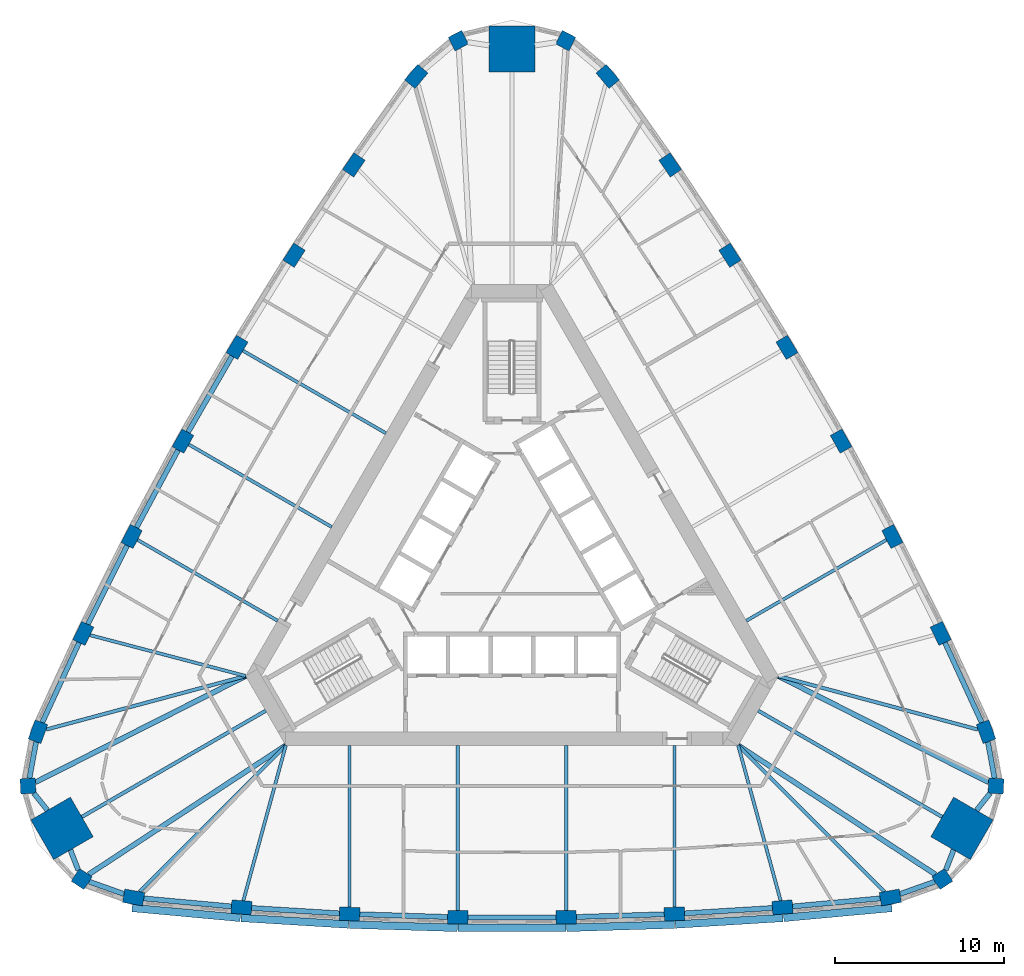
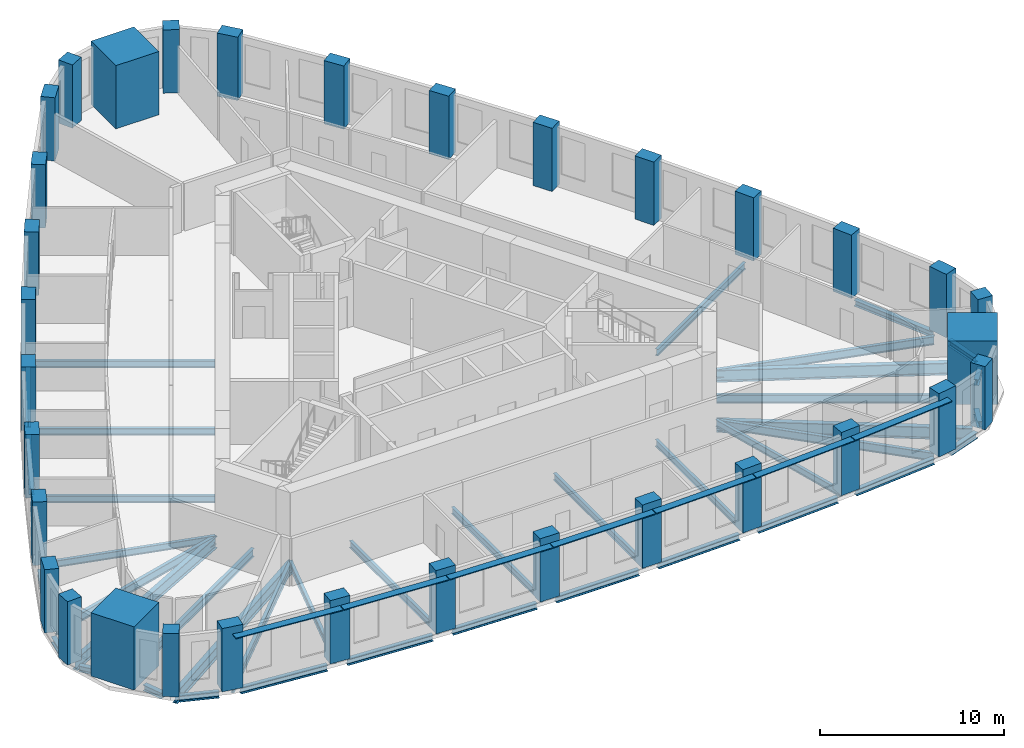
# One storey, part 1 of 11: 41 beams, 33 columns, 7 members.
"""IFC4 building model written with IfcOpenShell, lengths in metres."""

from ifc_helpers import new_model, si_unit, direction, frame, origin, origin_2d, place, context, subcontext, project, spatial, rectangle, i_section, extrude, material, material_profile, profile_set, type_object, element, save


model = new_model("IFC4")

# Units and contexts
model_context = context("Model", 3, precision=1e-05, world=origin(), true_north=direction((0.0, 1.0)))
body_context = subcontext(model_context, "Body", "Model", "MODEL_VIEW")
ifc_project = project(units=[si_unit("LENGTHUNIT", "METRE"), si_unit("AREAUNIT", "SQUARE_METRE"), si_unit("VOLUMEUNIT", "CUBIC_METRE"), si_unit("PLANEANGLEUNIT", "RADIAN"), si_unit("MASSUNIT", "GRAM", prefix="KILO")], contexts=[model_context])

# Site, building, storey
site_placement = place(None, origin())
site = spatial("IfcSite", under=ifc_project, at=site_placement, CompositionType="ELEMENT")
building_placement = place(site_placement, origin())
building = spatial("IfcBuilding", under=site, at=building_placement, Name="Mestral Congress Tower", CompositionType="ELEMENT")
storey_placement = place(building_placement, frame((0.0, 0.0, 175.199951171875)))
storey = spatial("IfcBuildingStorey", under=building, at=storey_placement, Name="L41", CompositionType="ELEMENT", Elevation=175.199951171875)

# Columns
ifc_material_1 = material(Name="Concrete C60/75", Category="concrete")
ifc_material_profile_1 = material_profile(ifc_material_1, rectangle(XDim=1.199951171875, YDim=0.800048828125, at=origin_2d()), Name="RC 1200x800")
ifc_profile_set_1 = profile_set([ifc_material_profile_1], Name="Concrete C60/75")
column_type_1 = type_object("IfcColumnType", Name="Column RC 1200x800 C60/75", PredefinedType="COLUMN", material=ifc_profile_set_1)
for number, where, z_axis, x_axis, name in (
    (1, (-22.357421875, -19.437255859375, 0.0), (0.0, 0.0, 1.0), (0.984571054206, -0.17498525429, 0.0), "COL-L41-C3-S00"),
    (2, (-15.984619140625, -20.0224609375, 0.0), (0.0, 0.0, 1.0), (0.997089725995, -0.076236987842, 0.0), "COL-L41-C3-S01"),
    (3, (-9.5966796875, -20.412841796875, 0.0), (0.0, 0.0, 1.0), (0.998951959915, -0.045770970953, 0.0), "COL-L41-C3-S02"),
    (4, (-3.199951171875, -20.608154296875, 0.0), (0.0, 0.0, 1.0), (0.999883524137, -0.015262311717, 0.0), "COL-L41-C3-S03"),
    (5, (3.199951171875, -20.608154296875, 0.0), (0.0, 0.0, 1.0), (0.999883524137, 0.015262311717, 0.0), "COL-L41-C3-S04"),
    (6, (9.5966796875, -20.412841796875, 0.0), (0.0, 0.0, 1.0), (0.998951959915, 0.045770970953, 0.0), "COL-L41-C3-S05"),
    (7, (15.984619140625, -20.0224609375, 0.0), (0.0, 0.0, 1.0), (0.997089725995, 0.076236987842, 0.0), "COL-L41-C3-S06"),
    (8, (22.357421875, -19.437255859375, 0.0), (0.0, 0.0, 1.0), (0.984571054206, 0.17498525429, 0.0), "COL-L41-C3-S07"),
    (9, (28.01171875, -9.6435546875, 0.0), (0.0, 0.0, 1.0), (-0.340743851601, 0.940156171918, 0.0), "COL-L41-C3-E00"),
    (10, (25.332275390625, -3.831787109375, 0.0), (0.0, 0.0, 1.0), (-0.432521694818, 0.901623526485, 0.0), "COL-L41-C3-E01"),
    (11, (22.476318359375, 1.8955078125, 0.0), (0.0, 0.0, 1.0), (-0.459837156356, 0.888003259923, 0.0), "COL-L41-C3-E02"),
    (12, (19.447265625, 7.532958984375, 0.0), (0.0, 0.0, 1.0), (-0.486724212401, 0.873555688587, 0.0), "COL-L41-C3-E03"),
    (13, (16.247314453125, 13.0751953125, 0.0), (0.0, 0.0, 1.0), (-0.513159311736, 0.85829337687, 0.0), "COL-L41-C3-E04"),
    (14, (12.8798828125, 18.517333984375, 0.0), (0.0, 0.0, 1.0), (-0.539114803559, 0.84223228897, 0.0), "COL-L41-C3-E05"),
    (15, (9.34765625, 23.854248046875, 0.0), (0.0, 0.0, 1.0), (-0.564568031177, 0.825386538643, 0.0), "COL-L41-C3-E06"),
    (16, (5.654296875, 29.080810546875, 0.0), (0.0, 0.0, 1.0), (-0.643827202606, 0.765170917629, 0.0), "COL-L41-C3-E07"),
    (17, (-5.654296875, 29.080810546875, 0.0), (0.0, 0.0, 1.0), (-0.643827202606, -0.765170917629, 0.0), "COL-L41-C3-W00"),
    (18, (-9.34765625, 23.854248046875, 0.0), (0.0, 0.0, 1.0), (-0.564568031177, -0.825386538643, 0.0), "COL-L41-C3-W01"),
    (19, (-12.8798828125, 18.517333984375, 0.0), (0.0, 0.0, 1.0), (-0.539114803559, -0.84223228897, 0.0), "COL-L41-C3-W02"),
    (20, (-16.247314453125, 13.0751953125, 0.0), (0.0, 0.0, 1.0), (-0.513159311736, -0.85829337687, 0.0), "COL-L41-C3-W03"),
    (21, (-19.447265625, 7.532958984375, 0.0), (0.0, 0.0, 1.0), (-0.486724212401, -0.873555688587, 0.0), "COL-L41-C3-W04"),
    (22, (-22.476318359375, 1.8955078125, 0.0), (0.0, 0.0, 1.0), (-0.459837156356, -0.888003259923, 0.0), "COL-L41-C3-W05"),
    (23, (-25.332275390625, -3.831787109375, 0.0), (0.0, 0.0, 1.0), (-0.432521694818, -0.901623526485, 0.0), "COL-L41-C3-W06"),
    (24, (-28.01171875, -9.6435546875, 0.0), (0.0, 0.0, 1.0), (-0.340743851601, -0.940156171918, 0.0), "COL-L41-C3-W07"),
):
    element("IfcColumn", number, at=place(storey_placement, frame(where, z_axis=z_axis, x_axis=x_axis)), inside=storey, type_object=column_type_1, Name=name, PredefinedType="COLUMN", context=body_context, shape_type="SweptSolid", body=[
        extrude(rectangle(XDim=1.199951171875, YDim=0.800048828125, at=origin_2d()), origin(), (0.0, 0.0, 1.0), 4.199951171875),
    ])
ifc_material_profile_2 = material_profile(ifc_material_1, rectangle(XDim=0.89990234375, YDim=0.89990234375, at=origin_2d()), Name="RC 900x900")
ifc_profile_set_2 = profile_set([ifc_material_profile_2], Name="Concrete C60/75")
column_type_2 = type_object("IfcColumnType", Name="Column RC 900x900 C60/75", PredefinedType="COLUMN", material=ifc_profile_set_2)
for number, where, z_axis, x_axis, name in (
    (25, (25.4296875, -18.34375, 0.0), (0.0, 0.0, 1.0), (0.838094050847, 0.545525766518, 0.0), "COL-L41-C3-SE1"),
    (26, (28.60107421875, -12.850830078125, 0.0), (0.0, 0.0, 1.0), (0.0533921468, 0.998573622053, 0.0), "COL-L41-C3-SE3"),
    (27, (3.17138671875, 31.194580078125, 0.0), (0.0, 0.0, 1.0), (-0.891486197647, 0.453047855535, 0.0), "COL-L41-C3-N1"),
    (28, (-3.17138671875, 31.194580078125, 0.0), (0.0, 0.0, 1.0), (-0.891486197647, -0.453047855535, 0.0), "COL-L41-C3-N3"),
    (29, (-28.60107421875, -12.850830078125, 0.0), (0.0, 0.0, 1.0), (0.0533921468, -0.998573622053, 0.0), "COL-L41-C3-SW1"),
    (30, (-25.4296875, -18.34375, 0.0), (0.0, 0.0, 1.0), (0.838094050847, -0.545525766518, 0.0), "COL-L41-C3-SW3"),
):
    element("IfcColumn", number, at=place(storey_placement, frame(where, z_axis=z_axis, x_axis=x_axis)), inside=storey, type_object=column_type_2, Name=name, PredefinedType="COLUMN", context=body_context, shape_type="SweptSolid", body=[
        extrude(rectangle(XDim=0.89990234375, YDim=0.89990234375, at=origin_2d()), origin(), (0.0, 0.0, 1.0), 4.199951171875),
    ])
ifc_material_2 = material(Name="Concrete C70/85", Category="concrete")
ifc_material_profile_3 = material_profile(ifc_material_2, rectangle(XDim=2.699951171875, YDim=2.699951171875, at=origin_2d()), Name="RC 2700x2700")
ifc_profile_set_3 = profile_set([ifc_material_profile_3], Name="Concrete C70/85")
column_type_3 = type_object("IfcColumnType", Name="Mega column RC 2700x2700 C70/85", PredefinedType="COLUMN", material=ifc_profile_set_3)
for number, where, z_axis, x_axis, name in (
    (31, (26.590576171875, -15.35205078125, 0.0), (0.0, 0.0, 1.0), (0.866025403784, -0.5, 0.0), "COL-L41-PY3-SE"),
    (32, (0.0, 30.7041015625, 0.0), (0.0, 0.0, 1.0), (0.0, 1.0, 0.0), "COL-L41-PY3-N"),
    (33, (-26.590576171875, -15.35205078125, 0.0), (0.0, 0.0, 1.0), (-0.866025403784, -0.5, 0.0), "COL-L41-PY3-SW"),
):
    element("IfcColumn", number, at=place(storey_placement, frame(where, z_axis=z_axis, x_axis=x_axis)), inside=storey, type_object=column_type_3, Name=name, PredefinedType="COLUMN", context=body_context, shape_type="SweptSolid", body=[
        extrude(rectangle(XDim=2.699951171875, YDim=2.699951171875, at=origin_2d()), origin(), (0.0, 0.0, 1.0), 4.199951171875),
    ])

# Members
ifc_material_3 = material(Name="Glazed ceramic", Category="masonry")
ifc_material_profile_4 = material_profile(ifc_material_3, rectangle(XDim=0.449951171875, YDim=0.06005859375, at=origin_2d()), Name="Ceramic blade 450 x 60")
ifc_profile_set_4 = profile_set([ifc_material_profile_4], Name="Glazed ceramic")
member_type = type_object("IfcMemberType", Name="Facade sunshade blade 450 x 60", PredefinedType="USERDEFINED", material=ifc_profile_set_4)
member_1_placement = place(storey_placement, frame((-22.451171875, -20.05615234375, 3.679931640625), z_axis=(0.995809919347, -0.091447277326, 0.0), x_axis=(0.091447277326, 0.995809919347, 0.0)))
element("IfcMember", 34, at=member_1_placement, inside=storey, type_object=member_type, Name="Sunshade F0-00", ObjectType="SUNSHADE", PredefinedType="USERDEFINED", context=body_context, shape_type="SweptSolid", body=[
    extrude(rectangle(XDim=0.449951171875, YDim=0.06005859375, at=origin_2d()), origin(), (0.0, 0.0, 1.0), 6.42333984375),
])
member_2_placement = place(storey_placement, frame((-16.009521484375, -20.647216796875, 3.679931640625), z_axis=(0.998138940399, -0.06098078107, 0.0), x_axis=(0.06098078107, 0.998138940399, 0.0)))
element("IfcMember", 35, at=member_2_placement, inside=storey, type_object=member_type, Name="Sunshade F0-01", ObjectType="SUNSHADE", PredefinedType="USERDEFINED", context=body_context, shape_type="SweptSolid", body=[
    extrude(rectangle(XDim=0.449951171875, YDim=0.06005859375, at=origin_2d()), origin(), (0.0, 0.0, 1.0), 6.373779296875),
])
for number, where, z_axis, x_axis, name in (
    (36, (-9.6025390625, -21.0380859375, 3.679931640625), (0.999535044007, -0.03049091343, 0.0), (0.03049091343, 0.999535044007, 0.0), "Sunshade F0-02"),
    (37, (-3.186767578125, -21.233154296875, 3.679931640625), (1.0, 0.0, 0.0), (0.0, 1.0, 0.0), "Sunshade F0-03"),
    (38, (3.23193359375, -21.232421875, 3.679931640625), (0.999535044007, 0.03049091343, 0.0), (-0.03049091343, 0.999535044007, 0.0), "Sunshade F0-04"),
):
    element("IfcMember", number, at=place(storey_placement, frame(where, z_axis=z_axis, x_axis=x_axis)), inside=storey, type_object=member_type, Name=name, ObjectType="SUNSHADE", PredefinedType="USERDEFINED", context=body_context, shape_type="SweptSolid", body=[
        extrude(rectangle(XDim=0.449951171875, YDim=0.06005859375, at=origin_2d()), origin(), (0.0, 0.0, 1.0), 6.37353515625),
    ])
member_3_placement = place(storey_placement, frame((9.647705078125, -21.035888671875, 3.679931640625), z_axis=(0.998138940399, 0.06098078107, 0.0), x_axis=(-0.06098078107, 0.998138940399, 0.0)))
element("IfcMember", 39, at=member_3_placement, inside=storey, type_object=member_type, Name="Sunshade F0-05", ObjectType="SUNSHADE", PredefinedType="USERDEFINED", context=body_context, shape_type="SweptSolid", body=[
    extrude(rectangle(XDim=0.449951171875, YDim=0.06005859375, at=origin_2d()), origin(), (0.0, 0.0, 1.0), 6.373779296875),
])
member_4_placement = place(storey_placement, frame((16.0546875, -20.6435546875, 3.679931640625), z_axis=(0.995809919347, 0.091447277326, 0.0), x_axis=(-0.091447277326, 0.995809919347, 0.0)))
element("IfcMember", 40, at=member_4_placement, inside=storey, type_object=member_type, Name="Sunshade F0-06", ObjectType="SUNSHADE", PredefinedType="USERDEFINED", context=body_context, shape_type="SweptSolid", body=[
    extrude(rectangle(XDim=0.449951171875, YDim=0.06005859375, at=origin_2d()), origin(), (0.0, 0.0, 1.0), 6.42333984375),
])

# Beams
ifc_material_4 = material(Name="Steel S355", Category="steel")
ifc_material_profile_5 = material_profile(ifc_material_4, i_section(OverallWidth=0.300048828125, OverallDepth=0.800048828125, WebThickness=0.017578125, FlangeThickness=0.032958984375, FilletRadius=0.030029296875, at=origin_2d()), Name="HEB 800")
ifc_profile_set_5 = profile_set([ifc_material_profile_5], Name="Steel S355")
beam_type_1 = type_object("IfcBeamType", Name="Floor beam HEB 800 S355", PredefinedType="BEAM", material=ifc_profile_set_5)
beam_1_placement = place(storey_placement, frame((25.018310546875, -18.07470703125, -0.64990234375), z_axis=(-0.836780237492, 0.547538888247, 0.0), x_axis=(-0.547538888247, -0.836780237492, 0.0)))
element("IfcBeam", 41, at=beam_1_placement, inside=storey, type_object=beam_type_1, Name="BM-L41-RB3-SE1", PredefinedType="BEAM", context=body_context, shape_type="SweptSolid", body=[
    extrude(i_section(OverallWidth=0.300048828125, OverallDepth=0.800048828125, WebThickness=0.017578125, FlangeThickness=0.032958984375, FilletRadius=0.030029296875, at=origin_2d()), origin(), (0.0, 0.0, 1.0), 13.925537109375),
])
for number, where, z_axis, x_axis, name in (
    (42, (28.162109375, -12.629150390625, -0.64990234375), (-0.892568118133, 0.450912579656, 0.0), (-0.450912579656, -0.892568118133, 0.0), "BM-L41-RB3-SE3"),
    (43, (-28.162109375, -12.629150390625, -0.64990234375), (0.892568118133, 0.450912579656, 0.0), (-0.450912579656, 0.892568118133, 0.0), "BM-L41-RB3-SW1"),
):
    element("IfcBeam", number, at=place(storey_placement, frame(where, z_axis=z_axis, x_axis=x_axis)), inside=storey, type_object=beam_type_1, Name=name, PredefinedType="BEAM", context=body_context, shape_type="SweptSolid", body=[
        extrude(i_section(OverallWidth=0.300048828125, OverallDepth=0.800048828125, WebThickness=0.017578125, FlangeThickness=0.032958984375, FilletRadius=0.030029296875, at=origin_2d()), origin(), (0.0, 0.0, 1.0), 13.92529296875),
    ])
beam_2_placement = place(storey_placement, frame((-25.018310546875, -18.07470703125, -0.64990234375), z_axis=(0.836780237492, 0.547538888247, 0.0), x_axis=(-0.547538888247, 0.836780237492, 0.0)))
element("IfcBeam", 44, at=beam_2_placement, inside=storey, type_object=beam_type_1, Name="BM-L41-RB3-SW3", PredefinedType="BEAM", context=body_context, shape_type="SweptSolid", body=[
    extrude(i_section(OverallWidth=0.300048828125, OverallDepth=0.800048828125, WebThickness=0.017578125, FlangeThickness=0.032958984375, FilletRadius=0.030029296875, at=origin_2d()), origin(), (0.0, 0.0, 1.0), 13.925537109375),
])
ifc_material_profile_6 = material_profile(ifc_material_4, i_section(OverallWidth=0.18994140625, OverallDepth=0.449951171875, WebThickness=0.009521484375, FlangeThickness=0.0146484375, FilletRadius=0.02099609375, at=origin_2d()), Name="IPE 450")
ifc_profile_set_6 = profile_set([ifc_material_profile_6], Name="Steel S355")
beam_type_2 = type_object("IfcBeamType", Name="Floor beam IPE 450 S355", PredefinedType="BEAM", material=ifc_profile_set_6)
beam_3_placement = place(storey_placement, frame((-15.876953125, -19.62939453125, -0.474853515625), z_axis=(0.263874900873, 0.964556912105, 0.0), x_axis=(-0.964556912105, 0.263874900873, 0.0)))
element("IfcBeam", 45, at=beam_3_placement, inside=storey, type_object=beam_type_2, Name="BM-L41-RB3-S01", PredefinedType="BEAM", context=body_context, shape_type="SweptSolid", body=[
    extrude(i_section(OverallWidth=0.18994140625, OverallDepth=0.449951171875, WebThickness=0.009521484375, FlangeThickness=0.0146484375, FilletRadius=0.02099609375, at=origin_2d()), origin(), (0.0, 0.0, 1.0), 9.516845703125),
])
beam_4_placement = place(storey_placement, frame((-9.5966796875, -20.012451171875, -0.474853515625), z_axis=(0.0, 1.0, 0.0), x_axis=(-1.0, 0.0, 0.0)))
element("IfcBeam", 46, at=beam_4_placement, inside=storey, type_object=beam_type_2, Name="BM-L41-RB3-S02", PredefinedType="BEAM", context=body_context, shape_type="SweptSolid", body=[
    extrude(i_section(OverallWidth=0.18994140625, OverallDepth=0.449951171875, WebThickness=0.009521484375, FlangeThickness=0.0146484375, FilletRadius=0.02099609375, at=origin_2d()), origin(), (0.0, 0.0, 1.0), 9.5625),
])
for number, where, z_axis, x_axis, name in (
    (47, (-3.199951171875, -20.208251953125, -0.474853515625), (0.0, 1.0, 0.0), (-1.0, 0.0, 0.0), "BM-L41-RB3-S03"),
    (48, (3.199951171875, -20.208251953125, -0.474853515625), (0.0, 1.0, 0.0), (-1.0, 0.0, 0.0), "BM-L41-RB3-S04"),
):
    element("IfcBeam", number, at=place(storey_placement, frame(where, z_axis=z_axis, x_axis=x_axis)), inside=storey, type_object=beam_type_2, Name=name, PredefinedType="BEAM", context=body_context, shape_type="SweptSolid", body=[
        extrude(i_section(OverallWidth=0.18994140625, OverallDepth=0.449951171875, WebThickness=0.009521484375, FlangeThickness=0.0146484375, FilletRadius=0.02099609375, at=origin_2d()), origin(), (0.0, 0.0, 1.0), 9.75830078125),
    ])
beam_5_placement = place(storey_placement, frame((9.5966796875, -20.012451171875, -0.474853515625), z_axis=(0.0, 1.0, 0.0), x_axis=(-1.0, 0.0, 0.0)))
element("IfcBeam", 49, at=beam_5_placement, inside=storey, type_object=beam_type_2, Name="BM-L41-RB3-S05", PredefinedType="BEAM", context=body_context, shape_type="SweptSolid", body=[
    extrude(i_section(OverallWidth=0.18994140625, OverallDepth=0.449951171875, WebThickness=0.009521484375, FlangeThickness=0.0146484375, FilletRadius=0.02099609375, at=origin_2d()), origin(), (0.0, 0.0, 1.0), 9.5625),
])
beam_6_placement = place(storey_placement, frame((15.876953125, -19.62939453125, -0.474853515625), z_axis=(-0.263874900873, 0.964556912105, 0.0), x_axis=(-0.964556912105, -0.263874900873, 0.0)))
element("IfcBeam", 50, at=beam_6_placement, inside=storey, type_object=beam_type_2, Name="BM-L41-RB3-S06", PredefinedType="BEAM", context=body_context, shape_type="SweptSolid", body=[
    extrude(i_section(OverallWidth=0.18994140625, OverallDepth=0.449951171875, WebThickness=0.009521484375, FlangeThickness=0.0146484375, FilletRadius=0.02099609375, at=origin_2d()), origin(), (0.0, 0.0, 1.0), 9.516845703125),
])
beam_7_placement = place(storey_placement, frame((22.129638671875, 1.6953125, -0.474853515625), z_axis=(-0.866022320763, -0.500005339912, 0.0), x_axis=(0.500005339912, -0.866022320763, 0.0)))
element("IfcBeam", 51, at=beam_7_placement, inside=storey, type_object=beam_type_2, Name="BM-L41-RB3-E02", PredefinedType="BEAM", context=body_context, shape_type="SweptSolid", body=[
    extrude(i_section(OverallWidth=0.18994140625, OverallDepth=0.449951171875, WebThickness=0.009521484375, FlangeThickness=0.0146484375, FilletRadius=0.02099609375, at=origin_2d()), origin(), (0.0, 0.0, 1.0), 9.5625),
])
beam_8_placement = place(storey_placement, frame((-15.90087890625, 12.875244140625, -0.474853515625), z_axis=(0.866025182435, -0.500000383388, 0.0), x_axis=(0.500000383388, 0.866025182435, 0.0)))
element("IfcBeam", 52, at=beam_8_placement, inside=storey, type_object=beam_type_2, Name="BM-L41-RB3-W03", PredefinedType="BEAM", context=body_context, shape_type="SweptSolid", body=[
    extrude(i_section(OverallWidth=0.18994140625, OverallDepth=0.449951171875, WebThickness=0.009521484375, FlangeThickness=0.0146484375, FilletRadius=0.02099609375, at=origin_2d()), origin(), (0.0, 0.0, 1.0), 9.75830078125),
])
beam_9_placement = place(storey_placement, frame((-19.100830078125, 7.332763671875, -0.474853515625), z_axis=(0.866036015824, -0.499981618958, 0.0), x_axis=(0.499981618958, 0.866036015824, 0.0)))
element("IfcBeam", 53, at=beam_9_placement, inside=storey, type_object=beam_type_2, Name="BM-L41-RB3-W04", PredefinedType="BEAM", context=body_context, shape_type="SweptSolid", body=[
    extrude(i_section(OverallWidth=0.18994140625, OverallDepth=0.449951171875, WebThickness=0.009521484375, FlangeThickness=0.0146484375, FilletRadius=0.02099609375, at=origin_2d()), origin(), (0.0, 0.0, 1.0), 9.758056640625),
])
beam_10_placement = place(storey_placement, frame((-22.129638671875, 1.6953125, -0.474853515625), z_axis=(0.866022320763, -0.500005339912, 0.0), x_axis=(0.500005339912, 0.866022320763, 0.0)))
element("IfcBeam", 54, at=beam_10_placement, inside=storey, type_object=beam_type_2, Name="BM-L41-RB3-W05", PredefinedType="BEAM", context=body_context, shape_type="SweptSolid", body=[
    extrude(i_section(OverallWidth=0.18994140625, OverallDepth=0.449951171875, WebThickness=0.009521484375, FlangeThickness=0.0146484375, FilletRadius=0.02099609375, at=origin_2d()), origin(), (0.0, 0.0, 1.0), 9.5625),
])
beam_11_placement = place(storey_placement, frame((-24.938232421875, -3.93505859375, -0.474853515625), z_axis=(0.967265999603, -0.253764627187, 0.0), x_axis=(0.253764627187, 0.967265999603, 0.0)))
element("IfcBeam", 55, at=beam_11_placement, inside=storey, type_object=beam_type_2, Name="BM-L41-RB3-W06", PredefinedType="BEAM", context=body_context, shape_type="SweptSolid", body=[
    extrude(i_section(OverallWidth=0.18994140625, OverallDepth=0.449951171875, WebThickness=0.009521484375, FlangeThickness=0.0146484375, FilletRadius=0.02099609375, at=origin_2d()), origin(), (0.0, 0.0, 1.0), 9.516845703125),
])
ifc_material_profile_7 = material_profile(ifc_material_4, i_section(OverallWidth=0.2099609375, OverallDepth=0.550048828125, WebThickness=0.010986328125, FlangeThickness=0.01708984375, FilletRadius=0.02392578125, at=origin_2d()), Name="IPE 550")
ifc_profile_set_7 = profile_set([ifc_material_profile_7], Name="Steel S355")
beam_type_3 = type_object("IfcBeamType", Name="Floor beam IPE 550 S355", PredefinedType="BEAM", material=ifc_profile_set_7)
for number, where, z_axis, x_axis, name in (
    (56, (-22.01220703125, -19.09228515625, -0.52490234375), (0.707276510369, 0.706937011254, 0.0), (-0.706937011254, 0.707276510369, 0.0), "BM-L41-RB3-S00"),
    (57, (22.01220703125, -19.09228515625, -0.52490234375), (-0.707276510369, 0.706937011254, 0.0), (-0.706937011254, -0.707276510369, 0.0), "BM-L41-RB3-S07"),
):
    element("IfcBeam", number, at=place(storey_placement, frame(where, z_axis=z_axis, x_axis=x_axis)), inside=storey, type_object=beam_type_3, Name=name, PredefinedType="BEAM", context=body_context, shape_type="SweptSolid", body=[
        extrude(i_section(OverallWidth=0.2099609375, OverallDepth=0.550048828125, WebThickness=0.010986328125, FlangeThickness=0.01708984375, FilletRadius=0.02392578125, at=origin_2d()), origin(), (0.0, 0.0, 1.0), 12.22509765625),
    ])
beam_12_placement = place(storey_placement, frame((25.42138671875, -14.677001953125, -0.52490234375), z_axis=(-0.866034999462, 0.49998337943, 0.0), x_axis=(-0.49998337943, -0.866034999462, 0.0)))
element("IfcBeam", 58, at=beam_12_placement, inside=storey, type_object=beam_type_3, Name="BM-L41-RB3-SE", PredefinedType="BEAM", context=body_context, shape_type="SweptSolid", body=[
    extrude(i_section(OverallWidth=0.2099609375, OverallDepth=0.550048828125, WebThickness=0.010986328125, FlangeThickness=0.01708984375, FilletRadius=0.02392578125, at=origin_2d()), origin(), (0.0, 0.0, 1.0), 12.55419921875),
])
for number, where, z_axis, x_axis, name in (
    (59, (27.54052734375, -9.51708984375, -0.52490234375), (-0.965861364708, 0.259059499276, 0.0), (-0.259059499276, -0.965861364708, 0.0), "BM-L41-RB3-E00"),
    (60, (-27.54052734375, -9.51708984375, -0.52490234375), (0.965861364708, 0.259059499276, 0.0), (-0.259059499276, 0.965861364708, 0.0), "BM-L41-RB3-W07"),
):
    element("IfcBeam", number, at=place(storey_placement, frame(where, z_axis=z_axis, x_axis=x_axis)), inside=storey, type_object=beam_type_3, Name=name, PredefinedType="BEAM", context=body_context, shape_type="SweptSolid", body=[
        extrude(i_section(OverallWidth=0.2099609375, OverallDepth=0.550048828125, WebThickness=0.010986328125, FlangeThickness=0.01708984375, FilletRadius=0.02392578125, at=origin_2d()), origin(), (0.0, 0.0, 1.0), 12.224853515625),
    ])
beam_13_placement = place(storey_placement, frame((-25.42138671875, -14.677001953125, -0.52490234375), z_axis=(0.866034999462, 0.49998337943, 0.0), x_axis=(-0.49998337943, 0.866034999462, 0.0)))
element("IfcBeam", 61, at=beam_13_placement, inside=storey, type_object=beam_type_3, Name="BM-L41-RB3-SW", PredefinedType="BEAM", context=body_context, shape_type="SweptSolid", body=[
    extrude(i_section(OverallWidth=0.2099609375, OverallDepth=0.550048828125, WebThickness=0.010986328125, FlangeThickness=0.01708984375, FilletRadius=0.02392578125, at=origin_2d()), origin(), (0.0, 0.0, 1.0), 12.55419921875),
])
ifc_material_profile_8 = material_profile(ifc_material_4, i_section(OverallWidth=0.300048828125, OverallDepth=0.389892578125, WebThickness=0.010986328125, FlangeThickness=0.01904296875, FilletRadius=0.027099609375, at=origin_2d()), Name="HEA 400")
ifc_profile_set_8 = profile_set([ifc_material_profile_8], Name="Steel S355")
beam_type_4 = type_object("IfcBeamType", Name="Spandrel beam HEA 400 S355", PredefinedType="BEAM", material=ifc_profile_set_8)
beam_14_placement = place(storey_placement, frame((-21.7578125, -19.4921875, -0.445068359375), z_axis=(0.995809233617, -0.091454744238, 0.0), x_axis=(0.091454744238, 0.995809233617, 0.0)))
element("IfcBeam", 62, at=beam_14_placement, inside=storey, type_object=beam_type_4, Name="SP-L41-SB3-S00", PredefinedType="BEAM", context=body_context, shape_type="SweptSolid", body=[
    extrude(i_section(OverallWidth=0.300048828125, OverallDepth=0.389892578125, WebThickness=0.010986328125, FlangeThickness=0.01904296875, FilletRadius=0.027099609375, at=origin_2d()), origin(), (0.0, 0.0, 1.0), 5.197509765625),
])
beam_15_placement = place(storey_placement, frame((-15.385498046875, -20.05908203125, -0.445068359375), z_axis=(0.998138215809, -0.060992640057, 0.0), x_axis=(0.060992640057, 0.998138215809, 0.0)))
element("IfcBeam", 63, at=beam_15_placement, inside=storey, type_object=beam_type_4, Name="SP-L41-SB3-S01", PredefinedType="BEAM", context=body_context, shape_type="SweptSolid", body=[
    extrude(i_section(OverallWidth=0.300048828125, OverallDepth=0.389892578125, WebThickness=0.010986328125, FlangeThickness=0.01904296875, FilletRadius=0.027099609375, at=origin_2d()), origin(), (0.0, 0.0, 1.0), 5.19970703125),
])
beam_16_placement = place(storey_placement, frame((-8.996826171875, -20.43115234375, -0.445068359375), z_axis=(0.999534130554, -0.030520842996, 0.0), x_axis=(0.030520842996, 0.999534130554, 0.0)))
element("IfcBeam", 64, at=beam_16_placement, inside=storey, type_object=beam_type_4, Name="SP-L41-SB3-S02", PredefinedType="BEAM", context=body_context, shape_type="SweptSolid", body=[
    extrude(i_section(OverallWidth=0.300048828125, OverallDepth=0.389892578125, WebThickness=0.010986328125, FlangeThickness=0.01904296875, FilletRadius=0.027099609375, at=origin_2d()), origin(), (0.0, 0.0, 1.0), 5.199462890625),
])
beam_17_placement = place(storey_placement, frame((-2.599853515625, -20.608154296875, -0.445068359375), z_axis=(1.0, 0.0, 0.0), x_axis=(0.0, 1.0, 0.0)))
element("IfcBeam", 65, at=beam_17_placement, inside=storey, type_object=beam_type_4, Name="SP-L41-SB3-S03", PredefinedType="BEAM", context=body_context, shape_type="SweptSolid", body=[
    extrude(i_section(OverallWidth=0.300048828125, OverallDepth=0.389892578125, WebThickness=0.010986328125, FlangeThickness=0.01904296875, FilletRadius=0.027099609375, at=origin_2d()), origin(), (0.0, 0.0, 1.0), 5.19970703125),
])
beam_18_placement = place(storey_placement, frame((3.7998046875, -20.58984375, -0.445068359375), z_axis=(0.999534130554, 0.030520842996, 0.0), x_axis=(-0.030520842996, 0.999534130554, 0.0)))
element("IfcBeam", 66, at=beam_18_placement, inside=storey, type_object=beam_type_4, Name="SP-L41-SB3-S04", PredefinedType="BEAM", context=body_context, shape_type="SweptSolid", body=[
    extrude(i_section(OverallWidth=0.300048828125, OverallDepth=0.389892578125, WebThickness=0.010986328125, FlangeThickness=0.01904296875, FilletRadius=0.027099609375, at=origin_2d()), origin(), (0.0, 0.0, 1.0), 5.199462890625),
])
beam_19_placement = place(storey_placement, frame((10.195556640625, -20.376220703125, -0.445068359375), z_axis=(0.998138215809, 0.060992640057, 0.0), x_axis=(-0.060992640057, 0.998138215809, 0.0)))
element("IfcBeam", 67, at=beam_19_placement, inside=storey, type_object=beam_type_4, Name="SP-L41-SB3-S05", PredefinedType="BEAM", context=body_context, shape_type="SweptSolid", body=[
    extrude(i_section(OverallWidth=0.300048828125, OverallDepth=0.389892578125, WebThickness=0.010986328125, FlangeThickness=0.01904296875, FilletRadius=0.027099609375, at=origin_2d()), origin(), (0.0, 0.0, 1.0), 5.19970703125),
])
beam_20_placement = place(storey_placement, frame((16.58203125, -19.967529296875, -0.445068359375), z_axis=(0.995809233617, 0.091454744238, 0.0), x_axis=(-0.091454744238, 0.995809233617, 0.0)))
element("IfcBeam", 68, at=beam_20_placement, inside=storey, type_object=beam_type_4, Name="SP-L41-SB3-S06", PredefinedType="BEAM", context=body_context, shape_type="SweptSolid", body=[
    extrude(i_section(OverallWidth=0.300048828125, OverallDepth=0.389892578125, WebThickness=0.010986328125, FlangeThickness=0.01904296875, FilletRadius=0.027099609375, at=origin_2d()), origin(), (0.0, 0.0, 1.0), 5.197509765625),
])
beam_21_placement = place(storey_placement, frame((22.9306640625, -19.233154296875, -0.445068359375), z_axis=(0.942124718118, 0.33526260679, 0.0), x_axis=(-0.33526260679, 0.942124718118, 0.0)))
element("IfcBeam", 69, at=beam_21_placement, inside=storey, type_object=beam_type_4, Name="SP-L41-SB3-S07", PredefinedType="BEAM", context=body_context, shape_type="SweptSolid", body=[
    extrude(i_section(OverallWidth=0.300048828125, OverallDepth=0.389892578125, WebThickness=0.010986328125, FlangeThickness=0.01904296875, FilletRadius=0.027099609375, at=origin_2d()), origin(), (0.0, 0.0, 1.0), 2.189697265625),
])
for number, where, z_axis, x_axis, name in (
    (70, (25.630126953125, -17.826904296875, -0.445068359375), (0.361897583915, 0.932217860136, 0.0), (-0.932217860136, 0.361897583915, 0.0), "SP-L41-SB3-SE1"),
    (71, (27.446533203125, -14.287353515625, -0.445068359375), (0.626403443736, 0.779499022242, 0.0), (-0.779499022242, 0.626403443736, 0.0), "SP-L41-SB3-SE"),
):
    element("IfcBeam", number, at=place(storey_placement, frame(where, z_axis=z_axis, x_axis=x_axis)), inside=storey, type_object=beam_type_4, Name=name, PredefinedType="BEAM", context=body_context, shape_type="SweptSolid", body=[
        extrude(i_section(OverallWidth=0.300048828125, OverallDepth=0.389892578125, WebThickness=0.010986328125, FlangeThickness=0.01904296875, FilletRadius=0.027099609375, at=origin_2d()), origin(), (0.0, 0.0, 1.0), 1.28857421875),
    ])
beam_22_placement = place(storey_placement, frame((28.517333984375, -12.395751953125, -0.445068359375), z_axis=(-0.18061190167, 0.983554442304, 0.0), x_axis=(-0.983554442304, -0.18061190167, 0.0)))
element("IfcBeam", 72, at=beam_22_placement, inside=storey, type_object=beam_type_4, Name="SP-L41-SB3-SE3", PredefinedType="BEAM", context=body_context, shape_type="SweptSolid", body=[
    extrude(i_section(OverallWidth=0.300048828125, OverallDepth=0.389892578125, WebThickness=0.010986328125, FlangeThickness=0.01904296875, FilletRadius=0.027099609375, at=origin_2d()), origin(), (0.0, 0.0, 1.0), 2.18994140625),
])
beam_23_placement = place(storey_placement, frame((27.759765625, -9.0966796875, -0.445068359375), z_axis=(-0.418712613032, 0.908118796022, 0.0), x_axis=(-0.908118796022, -0.418712613032, 0.0)))
element("IfcBeam", 73, at=beam_23_placement, inside=storey, type_object=beam_type_4, Name="SP-L41-SB3-E00", PredefinedType="BEAM", context=body_context, shape_type="SweptSolid", body=[
    extrude(i_section(OverallWidth=0.300048828125, OverallDepth=0.389892578125, WebThickness=0.010986328125, FlangeThickness=0.01904296875, FilletRadius=0.027099609375, at=origin_2d()), origin(), (0.0, 0.0, 1.0), 5.197509765625),
])
for number, where, z_axis, x_axis, name in (
    (74, (-16.54736328125, 12.5556640625, -0.445068359375), (-0.499992051641, -0.866029992723, 0.0), (0.866029992723, -0.499992051641, 0.0), "SP-L41-SB3-W03"),
    (75, (-19.731201171875, 7.00439453125, -0.445068359375), (-0.473332458078, -0.880883865291, 0.0), (0.880883865291, -0.473332458078, 0.0), "SP-L41-SB3-W04"),
):
    element("IfcBeam", number, at=place(storey_placement, frame(where, z_axis=z_axis, x_axis=x_axis)), inside=storey, type_object=beam_type_4, Name=name, PredefinedType="BEAM", context=body_context, shape_type="SweptSolid", body=[
        extrude(i_section(OverallWidth=0.300048828125, OverallDepth=0.389892578125, WebThickness=0.010986328125, FlangeThickness=0.01904296875, FilletRadius=0.027099609375, at=origin_2d()), origin(), (0.0, 0.0, 1.0), 5.19970703125),
    ])
beam_24_placement = place(storey_placement, frame((-22.744140625, 1.3583984375, -0.445068359375), z_axis=(-0.446255467462, -0.894905613884, 0.0), x_axis=(0.894905613884, -0.446255467462, 0.0)))
element("IfcBeam", 76, at=beam_24_placement, inside=storey, type_object=beam_type_4, Name="SP-L41-SB3-W05", PredefinedType="BEAM", context=body_context, shape_type="SweptSolid", body=[
    extrude(i_section(OverallWidth=0.300048828125, OverallDepth=0.389892578125, WebThickness=0.010986328125, FlangeThickness=0.01904296875, FilletRadius=0.027099609375, at=origin_2d()), origin(), (0.0, 0.0, 1.0), 5.199462890625),
])
beam_25_placement = place(storey_placement, frame((-25.58349609375, -4.376708984375, -0.445068359375), z_axis=(-0.418712613032, -0.908118796022, 0.0), x_axis=(0.908118796022, -0.418712613032, 0.0)))
element("IfcBeam", 77, at=beam_25_placement, inside=storey, type_object=beam_type_4, Name="SP-L41-SB3-W06", PredefinedType="BEAM", context=body_context, shape_type="SweptSolid", body=[
    extrude(i_section(OverallWidth=0.300048828125, OverallDepth=0.389892578125, WebThickness=0.010986328125, FlangeThickness=0.01904296875, FilletRadius=0.027099609375, at=origin_2d()), origin(), (0.0, 0.0, 1.0), 5.197509765625),
])
beam_26_placement = place(storey_placement, frame((-28.121826171875, -10.241943359375, -0.445068359375), z_axis=(-0.18061190167, -0.983554442304, 0.0), x_axis=(0.983554442304, -0.18061190167, 0.0)))
element("IfcBeam", 78, at=beam_26_placement, inside=storey, type_object=beam_type_4, Name="SP-L41-SB3-W07", PredefinedType="BEAM", context=body_context, shape_type="SweptSolid", body=[
    extrude(i_section(OverallWidth=0.300048828125, OverallDepth=0.389892578125, WebThickness=0.010986328125, FlangeThickness=0.01904296875, FilletRadius=0.027099609375, at=origin_2d()), origin(), (0.0, 0.0, 1.0), 2.18994140625),
])
for number, where, z_axis, x_axis, name in (
    (79, (-28.253662109375, -13.282958984375, -0.445068359375), (0.626403443736, -0.779499022242, 0.0), (0.779499022242, 0.626403443736, 0.0), "SP-L41-SB3-SW1"),
    (80, (-26.096435546875, -16.625732421875, -0.445068359375), (0.361897583915, -0.932217860136, 0.0), (0.932217860136, 0.361897583915, 0.0), "SP-L41-SB3-SW"),
):
    element("IfcBeam", number, at=place(storey_placement, frame(where, z_axis=z_axis, x_axis=x_axis)), inside=storey, type_object=beam_type_4, Name=name, PredefinedType="BEAM", context=body_context, shape_type="SweptSolid", body=[
        extrude(i_section(OverallWidth=0.300048828125, OverallDepth=0.389892578125, WebThickness=0.010986328125, FlangeThickness=0.01904296875, FilletRadius=0.027099609375, at=origin_2d()), origin(), (0.0, 0.0, 1.0), 1.28857421875),
    ])
beam_27_placement = place(storey_placement, frame((-24.99365234375, -18.4990234375, -0.445068359375), z_axis=(0.942124718118, -0.33526260679, 0.0), x_axis=(0.33526260679, 0.942124718118, 0.0)))
element("IfcBeam", 81, at=beam_27_placement, inside=storey, type_object=beam_type_4, Name="SP-L41-SB3-SW3", PredefinedType="BEAM", context=body_context, shape_type="SweptSolid", body=[
    extrude(i_section(OverallWidth=0.300048828125, OverallDepth=0.389892578125, WebThickness=0.010986328125, FlangeThickness=0.01904296875, FilletRadius=0.027099609375, at=origin_2d()), origin(), (0.0, 0.0, 1.0), 2.189697265625),
])

save(model, "model.ifc")
